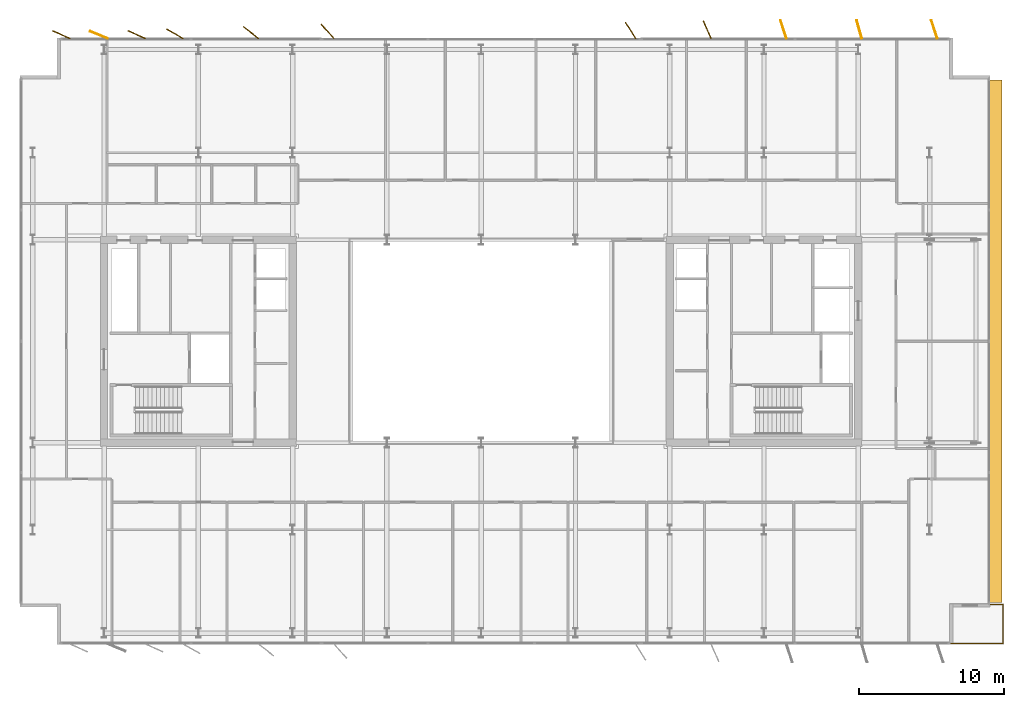
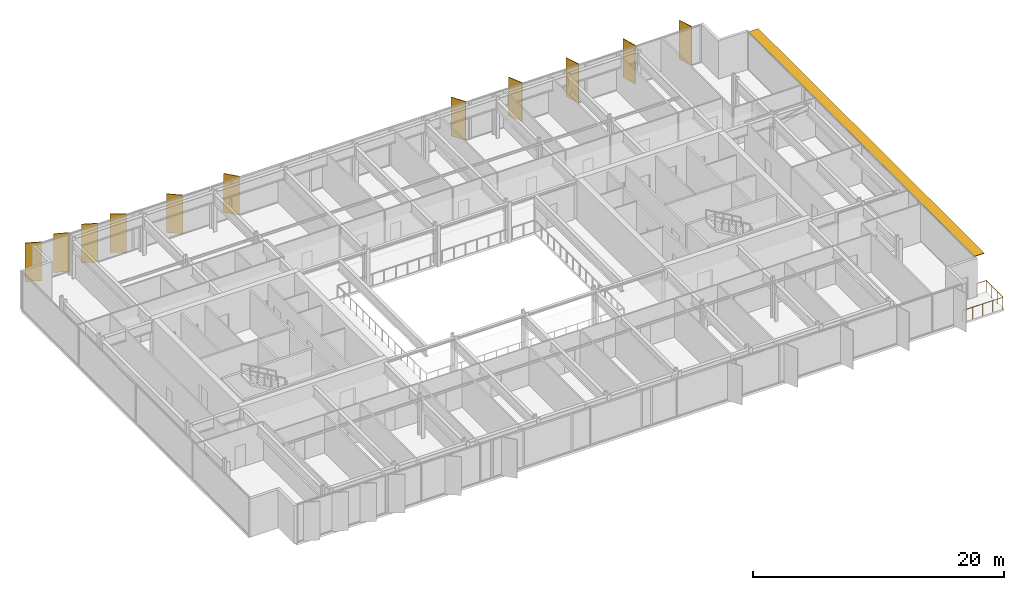
# One storey, part 20 of 20: 12 shading devices, 1 railing.
"""IFC4 building model written with IfcOpenShell, lengths in metres."""

from ifc_helpers import new_model, si_unit, direction, frame, origin, origin_2d, place, context, subcontext, project, spatial, polyline, rectangle, circle, outline, extrude, material, layer, layer_set, type_object, element, save


model = new_model("IFC4")

# Units and contexts
model_context = context("Model", 3, precision=1e-05, world=origin(), true_north=direction((0.0, 1.0)))
body_context = subcontext(model_context, "Body", "Model", "MODEL_VIEW")
ifc_project = project(units=[si_unit("LENGTHUNIT", "METRE"), si_unit("AREAUNIT", "SQUARE_METRE"), si_unit("VOLUMEUNIT", "CUBIC_METRE"), si_unit("PLANEANGLEUNIT", "RADIAN"), si_unit("MASSUNIT", "GRAM", prefix="KILO")], contexts=[model_context])

# Site, building, storey
site_placement = place(None, origin())
site = spatial("IfcSite", under=ifc_project, at=site_placement, CompositionType="ELEMENT")
building_placement = place(site_placement, origin())
building = spatial("IfcBuilding", under=site, at=building_placement, Name="Putna Gate Headquarters", CompositionType="ELEMENT")
storey_placement = place(building_placement, frame((0.0, 0.0, 306.39990234375)))
storey = spatial("IfcBuildingStorey", under=building, at=storey_placement, Name="L77", CompositionType="ELEMENT", Elevation=306.39990234375)

# Railing
ifc_material_1 = material(Name="Anodised bronze steel and laminated glass guardrail", Category="steel")
railing_type = type_object("IfcRailingType", Name="RAIL-TERR-GUARD-1150", PredefinedType="GUARDRAIL", material=ifc_material_1)
railing_placement = place(storey_placement, frame((71.300048828125, 5.159912109375, 0.0)))
element("IfcRailing", 1, at=railing_placement, inside=storey, type_object=railing_type, Name="L77 Spiral Sky Terrace Guardrail SE", PredefinedType="GUARDRAIL", context=body_context, shape_type="SweptSolid", body=[
    extrude(circle(Radius=0.02392578125, at=origin_2d()), frame((0.0, 0.0, 1.1259765625), z_axis=(1.0, 0.0, 0.0), x_axis=(0.0, 1.0, 0.0)), (0.0, 0.0, 1.0), 3.68994140625),
    extrude(circle(Radius=0.02392578125, at=origin_2d()), frame((3.68994140625, 0.0, 1.1259765625), z_axis=(0.0, 1.0, 0.0), x_axis=(-1.0, 0.0, 0.0)), (0.0, 0.0, 1.0), 2.68017578125),
    extrude(circle(Radius=0.02392578125, at=origin_2d()), frame((3.68994140625, 2.68017578125, 1.1259765625), z_axis=(-1.0, 0.0, 0.0), x_axis=(0.0, -1.0, 0.0)), (0.0, 0.0, 1.0), 0.889892578125),
    extrude(circle(Radius=0.02099609375, at=origin_2d()), origin(), (0.0, 0.0, 1.0), 1.101806640625),
    extrude(circle(Radius=0.02099609375, at=origin_2d()), frame((0.92236328125, 0.0, 0.0)), (0.0, 0.0, 1.0), 1.101806640625),
    extrude(circle(Radius=0.02099609375, at=origin_2d()), frame((1.844970703125, 0.0, 0.0)), (0.0, 0.0, 1.0), 1.101806640625),
    extrude(circle(Radius=0.02099609375, at=origin_2d()), frame((2.767578125, 0.0, 0.0)), (0.0, 0.0, 1.0), 1.101806640625),
    extrude(circle(Radius=0.02099609375, at=origin_2d()), frame((3.68994140625, 0.0, 0.0)), (0.0, 0.0, 1.0), 1.101806640625),
    extrude(circle(Radius=0.02099609375, at=origin_2d()), frame((3.68994140625, 0.893310546875, 0.0)), (0.0, 0.0, 1.0), 1.101806640625),
    extrude(circle(Radius=0.02099609375, at=origin_2d()), frame((3.68994140625, 1.786865234375, 0.0)), (0.0, 0.0, 1.0), 1.101806640625),
    extrude(circle(Radius=0.02099609375, at=origin_2d()), frame((3.68994140625, 2.68017578125, 0.0)), (0.0, 0.0, 1.0), 1.101806640625),
    extrude(circle(Radius=0.02099609375, at=origin_2d()), frame((2.800048828125, 2.68017578125, 0.0)), (0.0, 0.0, 1.0), 1.101806640625),
])

# Shading devices
ifc_material_2 = material(Name="Anodised architectural bronze aluminium fin", Category="aluminium")
ifc_layer_1 = layer(ifc_material_2, 0.06494140625)
ifc_layer_set_1 = layer_set([ifc_layer_1], Name="Anodised architectural bronze aluminium fin")
shading_device_type_1 = type_object("IfcShadingDeviceType", Name="SHADE-BRONZE-FIN-1320", PredefinedType="USERDEFINED", material=ifc_layer_set_1)
for number, where, z_axis, x_axis, name in (
    (2, (10.047119140625, 47.143310546875, -0.02001953125), (0.0, 0.0, 1.0), (-0.913687379856, 0.40641773078, 0.0), "L77 Bronze Vertical Shading Fin N1"),
    (3, (12.63818359375, 47.122314453125, -0.02001953125), (0.0, 0.0, 1.0), (-0.927183854567, 0.374606593416, 0.0), "L77 Bronze Vertical Shading Fin N2"),
    (4, (15.2470703125, 47.143310546875, -0.02001953125), (0.0, 0.0, 1.0), (-0.913687379856, 0.40641773078, 0.0), "L77 Bronze Vertical Shading Fin N3"),
    (5, (17.876220703125, 47.201171875, -0.02001953125), (0.0, 0.0, 1.0), (-0.869322458298, 0.494245347472, 0.0), "L77 Bronze Vertical Shading Fin N4"),
    (6, (23.13037109375, 47.28173828125, -0.02001953125), (0.0, 0.0, 1.0), (-0.787473187632, 0.616348909921, 0.0), "L77 Bronze Vertical Shading Fin N5"),
    (7, (28.408447265625, 47.365478515625, -0.02001953125), (0.0, 0.0, 1.0), (-0.669130606359, 0.743144825477, 0.0), "L77 Bronze Vertical Shading Fin N6"),
    (8, (49.2998046875, 47.434326171875, -0.02001953125), (0.0, 0.0, 1.0), (-0.530659123936, 0.847585331506, 0.0), "L77 Bronze Vertical Shading Fin N7"),
    (9, (54.585693359375, 47.479736328125, -0.02001953125), (0.0, 0.0, 1.0), (-0.400668879095, 0.916222925562, 0.0), "L77 Bronze Vertical Shading Fin N8"),
    (10, (59.84619140625, 47.502685546875, -0.02001953125), (0.0, 0.0, 1.0), (-0.308684994204, 0.951164325631, 0.0), "L77 Bronze Vertical Shading Fin N9"),
    (11, (65.068115234375, 47.509521484375, -0.02001953125), (0.0, 0.0, 1.0), (-0.275637355817, 0.961261695938, 0.0), "L77 Bronze Vertical Shading Fin N10"),
    (12, (70.246337890625, 47.502685546875, -0.02001953125), (0.0, 0.0, 1.0), (-0.308684994204, 0.951164325631, 0.0), "L77 Bronze Vertical Shading Fin N11"),
):
    element("IfcShadingDevice", number, at=place(storey_placement, frame(where, z_axis=z_axis, x_axis=x_axis)), inside=storey, type_object=shading_device_type_1, Name=name, ObjectType="FIN", PredefinedType="USERDEFINED", context=body_context, shape_type="SweptSolid", body=[
        extrude(rectangle(XDim=1.320068359375, YDim=0.06494140625, at=origin_2d()), origin(), (0.0, 0.0, 1.0), 3.760009765625),
    ])
ifc_material_3 = material(Name="Anodised architectural bronze sunshade blade", Category="aluminium")
ifc_layer_2 = layer(ifc_material_3, 0.06005859375)
ifc_layer_set_2 = layer_set([ifc_layer_2], Name="Anodised architectural bronze sunshade blade")
shading_device_type_2 = type_object("IfcShadingDeviceType", Name="SHADE-SAIL-BLADE-900", PredefinedType="USERDEFINED", material=ifc_layer_set_2)
shading_device_placement = place(storey_placement, frame((0.0, 0.0, 3.6650390625)))
element("IfcShadingDevice", 13, at=shading_device_placement, inside=storey, type_object=shading_device_type_2, Name="L77 East Sail Horizontal Bronze Sunshade Blade", ObjectType="SUNSHADE", PredefinedType="USERDEFINED", context=body_context, shape_type="SweptSolid", body=[
    extrude(outline(polyline([(74.02001953125, 8.0), (74.919921875, 8.0), (74.919921875, 44.0), (74.02001953125, 44.0), (74.02001953125, 8.0)])), origin(), (0.0, 0.0, 1.0), 0.06005859375),
])

save(model, "model.ifc")
